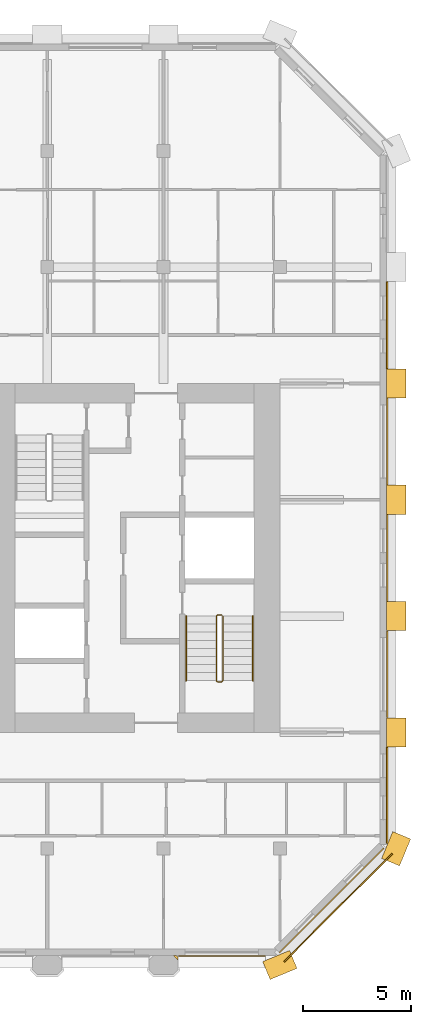
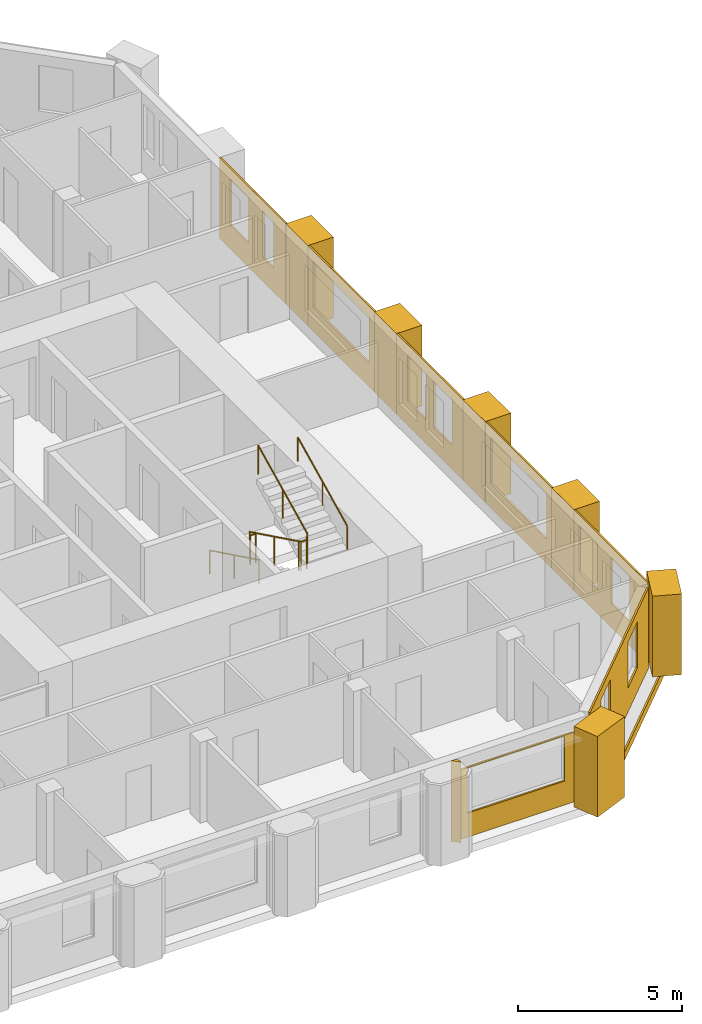
# One storey, part 12 of 13: 15 coverings, 3 railings.
"""IFC4 building model written with IfcOpenShell, lengths in metres."""

from ifc_helpers import new_model, si_unit, direction, frame, frame_2d, origin, origin_2d, place, context, subcontext, project, spatial, polyline, rectangle, circle, outline, extrude, material, layer, layer_set, type_object, element, save


model = new_model("IFC4")

# Units and contexts
model_context = context("Model", 3, precision=1e-05, world=origin(), true_north=direction((0.0, 1.0)))
body_context = subcontext(model_context, "Body", "Model", "MODEL_VIEW")
ifc_project = project(units=[si_unit("LENGTHUNIT", "METRE"), si_unit("AREAUNIT", "SQUARE_METRE"), si_unit("VOLUMEUNIT", "CUBIC_METRE"), si_unit("PLANEANGLEUNIT", "RADIAN"), si_unit("MASSUNIT", "GRAM", prefix="KILO")], contexts=[model_context])

# Site, building, storey
site_placement = place(None, origin())
site = spatial("IfcSite", under=ifc_project, at=site_placement, CompositionType="ELEMENT")
building_placement = place(site_placement, origin())
building = spatial("IfcBuilding", under=site, at=building_placement, Name="Tabaq Tower and Sports Hall", CompositionType="ELEMENT")
storey_placement = place(building_placement, frame((0.0, 0.0, 291.699951171875)))
storey = spatial("IfcBuildingStorey", under=building, at=storey_placement, Name="L72", CompositionType="ELEMENT", Elevation=291.699951171875)

# Coverings
ifc_material_1 = material(Name="Precast concrete C60/75", Category="concrete")
ifc_layer_1 = layer(ifc_material_1, 0.10009765625)
ifc_layer_set_1 = layer_set([ifc_layer_1], Name="Column cladding 100")
covering_type_1 = type_object("IfcCoveringType", Name="Column cladding 100", PredefinedType="CLADDING", material=ifc_layer_set_1)
covering_1_placement = place(storey_placement, origin())
element("IfcCovering", 1, at=covering_1_placement, inside=storey, type_object=covering_type_1, Name="Column cladding L72 PC-8B-R2 3", PredefinedType="CLADDING", context=body_context, shape_type="SweptSolid", body=[
    extrude(outline(polyline([(38.474365234375, 5.62646484375), (38.25146484375, 5.849365234375), (38.39111328125, 5.849365234375), (38.474365234375, 5.76611328125), (38.474365234375, 5.62646484375)])), origin(), (0.0, 0.0, 1.0), 3.0),
])
ifc_material_2 = material(Name="Precast concrete C60/75", Category="concrete")
ifc_layer_2 = layer(ifc_material_2, 0.06005859375)
ifc_layer_set_2 = layer_set([ifc_layer_2], Name="Edge beam cladding 60")
covering_type_2 = type_object("IfcCoveringType", Name="Edge beam cladding 60", PredefinedType="CLADDING", material=ifc_layer_set_2)
covering_2_placement = place(storey_placement, frame((43.39794921875, 5.5556640625, -0.300048828125), z_axis=(0.0, 0.0, 1.0), x_axis=(0.707124002701, 0.707089559252, 0.0)))
element("IfcCovering", 2, at=covering_2_placement, inside=storey, type_object=covering_type_2, Name="Edge beam cladding L72 1", PredefinedType="CLADDING", context=body_context, shape_type="SweptSolid", body=[
    extrude(rectangle(XDim=7.088134765625, YDim=0.06005859375, at=frame_2d((3.5439453125, 0.0))), origin(), (0.0, 0.0, 1.0), 0.300048828125),
])
ifc_material_3 = material(Name="White precast concrete C60/75", Category="concrete")
covering_type_3 = type_object("IfcCoveringType", Name="Pier cladding hung 1350x900", PredefinedType="CLADDING", material=ifc_material_3)
for number, where, z_axis, x_axis, name in (
    (3, (42.576416015625, 5.1416015625, 0.0), (0.0, 0.0, 1.0), (0.923893411637, 0.382649923473, 0.0), "Hung pier cladding 8/1"),
    (4, (48.341796875, 10.17626953125, 0.0), (0.0, 0.0, 1.0), (0.382649923473, 0.923893411637, 0.0), "Hung pier cladding 9/2"),
    (5, (48.60009765625, 15.52490234375, 0.0), (0.0, 0.0, 1.0), (0.0, 1.0, 0.0), "Hung pier cladding 9/3"),
):
    element("IfcCovering", number, at=place(storey_placement, frame(where, z_axis=z_axis, x_axis=x_axis)), inside=storey, type_object=covering_type_3, Name=name, PredefinedType="CLADDING", context=body_context, shape_type="SweptSolid", body=[
        extrude(rectangle(XDim=1.35009765625, YDim=0.89990234375, at=frame_2d((0.675048828125, 0.0))), origin(), (0.0, 0.0, 1.0), 3.0),
    ])
covering_3_placement = place(storey_placement, frame((48.60009765625, 20.925048828125, 0.0), z_axis=(0.0, 0.0, 1.0), x_axis=(0.0, 1.0, 0.0)))
element("IfcCovering", 6, at=covering_3_placement, inside=storey, type_object=covering_type_3, Name="Hung pier cladding 9/4", PredefinedType="CLADDING", context=body_context, shape_type="SweptSolid", body=[
    extrude(rectangle(XDim=1.349853515625, YDim=0.89990234375, at=frame_2d((0.6748046875, 0.0))), origin(), (0.0, 0.0, 1.0), 3.0),
])
covering_4_placement = place(storey_placement, frame((48.60009765625, 26.324951171875, 0.0), z_axis=(0.0, 0.0, 1.0), x_axis=(0.0, 1.0, 0.0)))
element("IfcCovering", 7, at=covering_4_placement, inside=storey, type_object=covering_type_3, Name="Hung pier cladding 9/5", PredefinedType="CLADDING", context=body_context, shape_type="SweptSolid", body=[
    extrude(rectangle(XDim=1.35009765625, YDim=0.89990234375, at=frame_2d((0.675048828125, 0.0))), origin(), (0.0, 0.0, 1.0), 3.0),
])
covering_5_placement = place(storey_placement, frame((48.60009765625, 31.72509765625, 0.0), z_axis=(0.0, 0.0, 1.0), x_axis=(0.0, 1.0, 0.0)))
element("IfcCovering", 8, at=covering_5_placement, inside=storey, type_object=covering_type_3, Name="Hung pier cladding 9/6", PredefinedType="CLADDING", context=body_context, shape_type="SweptSolid", body=[
    extrude(rectangle(XDim=1.349853515625, YDim=0.89990234375, at=frame_2d((0.6748046875, 0.0))), origin(), (0.0, 0.0, 1.0), 3.0),
])

# Railings
ifc_material_4 = material(Name="Stainless steel", Category="steel")
railing_type_1 = type_object("IfcRailingType", Name="Stair guard", PredefinedType="GUARDRAIL", material=ifc_material_4)
railing_1_placement = place(storey_placement, frame((40.5, 21.64990234375, 0.0)))
element("IfcRailing", 9, at=railing_1_placement, inside=storey, type_object=railing_type_1, Name="L72 ST3 stair guard 1", PredefinedType="GUARDRAIL", context=body_context, shape_type="SweptSolid", body=[
    extrude(circle(Radius=0.02392578125, at=origin_2d()), frame((0.0, 0.0, 1.076171875), z_axis=(-1.0, 0.0, 0.0), x_axis=(0.0, -1.0, 0.0)), (0.0, 0.0, 1.0), 0.199951171875),
    extrude(circle(Radius=0.02392578125, at=origin_2d()), frame((-0.199951171875, 0.0, 1.076171875), z_axis=(-0.254733673405, -0.25349107012, 0.933195066962), x_axis=(0.705375805398, -0.708833529934, 0.0)), (0.0, 0.0, 1.0), 0.196533203125),
    extrude(circle(Radius=0.02392578125, at=origin_2d()), frame((-0.25, -0.0498046875, 1.25927734375), z_axis=(0.0, -0.898368975038, 0.439241601728), x_axis=(1.0, 0.0, 0.0)), (0.0, 0.0, 1.0), 3.33935546875),
    extrude(circle(Radius=0.02392578125, at=origin_2d()), frame((-0.25, -3.0498046875, 2.72607421875), z_axis=(0.707106781187, -0.707106781187, 0.0), x_axis=(0.707106781187, 0.707106781187, 0.0)), (0.0, 0.0, 1.0), 0.07080078125),
    extrude(circle(Radius=0.02392578125, at=origin_2d()), frame((-0.199951171875, -3.099853515625, 2.72607421875), z_axis=(1.0, 0.0, 0.0), x_axis=(0.0, 1.0, 0.0)), (0.0, 0.0, 1.0), 0.199951171875),
    extrude(circle(Radius=0.02392578125, at=origin_2d()), frame((0.0, -3.099853515625, 2.72607421875), z_axis=(0.254653276557, 0.254653276557, 0.932900539971), x_axis=(-0.707106781187, 0.707106781187, 0.0)), (0.0, 0.0, 1.0), 0.196533203125),
    extrude(circle(Radius=0.02392578125, at=origin_2d()), frame((0.050048828125, -3.0498046875, 2.90966796875), z_axis=(0.0, 0.898397823093, 0.439182594671), x_axis=(-1.0, 0.0, 0.0)), (0.0, 0.0, 1.0), 3.33935546875),
    extrude(circle(Radius=0.02099609375, at=origin_2d()), origin(), (0.0, 0.0, 1.0), 1.052001953125),
    extrude(circle(Radius=0.02099609375, at=origin_2d()), frame((-0.199951171875, 0.0, 0.0)), (0.0, 0.0, 1.0), 1.052001953125),
    extrude(circle(Radius=0.02099609375, at=origin_2d()), frame((-0.25, -0.0498046875, 0.183349609375)), (0.0, 0.0, 1.0), 1.052001953125),
    extrude(circle(Radius=0.02099609375, at=origin_2d()), frame((-0.25, -1.5498046875, 0.916748046875)), (0.0, 0.0, 1.0), 1.052001953125),
    extrude(circle(Radius=0.02099609375, at=origin_2d()), frame((-0.25, -3.0498046875, 1.650146484375)), (0.0, 0.0, 1.0), 1.052001953125),
    extrude(circle(Radius=0.02099609375, at=origin_2d()), frame((-0.199951171875, -3.099853515625, 1.650146484375)), (0.0, 0.0, 1.0), 1.052001953125),
    extrude(circle(Radius=0.02099609375, at=origin_2d()), frame((0.0, -3.099853515625, 1.650146484375)), (0.0, 0.0, 1.0), 1.052001953125),
    extrude(circle(Radius=0.02099609375, at=origin_2d()), frame((0.050048828125, -3.0498046875, 1.83349609375)), (0.0, 0.0, 1.0), 1.052001953125),
    extrude(circle(Radius=0.02099609375, at=origin_2d()), frame((0.050048828125, -1.5498046875, 2.56689453125)), (0.0, 0.0, 1.0), 1.052001953125),
    extrude(circle(Radius=0.02099609375, at=origin_2d()), frame((0.050048828125, -0.0498046875, 3.300048828125)), (0.0, 0.0, 1.0), 1.052001953125),
])
ifc_material_5 = material(Name="Stainless steel", Category="steel")
railing_type_2 = type_object("IfcRailingType", Name="Stair handrail", PredefinedType="HANDRAIL", material=ifc_material_5)
railing_2_placement = place(storey_placement, frame((38.85009765625, 21.60009765625, 0.183349609375)))
element("IfcRailing", 10, at=railing_2_placement, inside=storey, type_object=railing_type_2, Name="L72 ST3 stair handrail 1", PredefinedType="HANDRAIL", context=body_context, shape_type="SweptSolid", body=[
    extrude(circle(Radius=0.02392578125, at=origin_2d()), frame((0.0, 0.0, 0.8759765625), z_axis=(0.0, -0.898368975038, 0.439241601728), x_axis=(1.0, 0.0, 0.0)), (0.0, 0.0, 1.0), 3.33935546875),
    extrude(circle(Radius=0.02099609375, at=origin_2d()), origin(), (0.0, 0.0, 1.0), 0.851806640625),
    extrude(circle(Radius=0.02099609375, at=origin_2d()), frame((0.0, -1.5, 0.7333984375)), (0.0, 0.0, 1.0), 0.851806640625),
    extrude(circle(Radius=0.02099609375, at=origin_2d()), frame((0.0, -3.0, 1.466796875)), (0.0, 0.0, 1.0), 0.851806640625),
])
railing_3_placement = place(storey_placement, frame((41.949951171875, 18.60009765625, 1.83349609375)))
element("IfcRailing", 11, at=railing_3_placement, inside=storey, type_object=railing_type_2, Name="L72 ST3 stair handrail 2", PredefinedType="HANDRAIL", context=body_context, shape_type="SweptSolid", body=[
    extrude(circle(Radius=0.02392578125, at=origin_2d()), frame((0.0, 0.0, 0.8759765625), z_axis=(0.0, 0.898397823093, 0.439182594671), x_axis=(-1.0, 0.0, 0.0)), (0.0, 0.0, 1.0), 3.33935546875),
    extrude(circle(Radius=0.02099609375, at=origin_2d()), origin(), (0.0, 0.0, 1.0), 0.851806640625),
    extrude(circle(Radius=0.02099609375, at=origin_2d()), frame((0.0, 1.5, 0.7333984375)), (0.0, 0.0, 1.0), 0.851806640625),
    extrude(circle(Radius=0.02099609375, at=origin_2d()), frame((0.0, 3.0, 1.466552734375)), (0.0, 0.0, 1.0), 0.851806640625),
])

# Coverings
ifc_material_6 = material(Name="Precast concrete C60/75", Category="concrete")
ifc_layer_3 = layer(ifc_material_6, 0.06005859375)
ifc_layer_set_3 = layer_set([ifc_layer_3], Name="White precast cladding panel 60 C60/75")
covering_type_4 = type_object("IfcCoveringType", Name="White precast cladding panel 60 C60/75", PredefinedType="CLADDING", material=ifc_layer_set_3)
covering_6_placement = place(storey_placement, frame((38.485107421875, 5.820068359375, 0.0), z_axis=(0.0, 0.0, 1.0), x_axis=(1.0, 0.0, 0.0)))
element("IfcCovering", 12, at=covering_6_placement, inside=storey, type_object=covering_type_4, Name="White precast cladding panel L72 wall00 6", PredefinedType="CLADDING", context=body_context, shape_type="SweptSolid", body=[
    extrude(outline(polyline([(0.0, 0.0), (4.0498046875, 0.0), (4.0498046875, 2.590087890625), (0.0, 2.590087890625), (0.0, 0.0)]), holes=[polyline([(3.72509765625, 0.89013671875), (0.304931640625, 0.89013671875), (0.304931640625, 2.56005859375), (3.72509765625, 2.56005859375), (3.72509765625, 0.89013671875)])]), frame((0.0, 0.030029296875, 0.0), z_axis=(0.0, -1.0, 0.0), x_axis=(1.0, 0.0, 0.0)), (0.0, 0.0, 1.0), 0.06005859375),
])
covering_7_placement = place(storey_placement, frame((43.177734375, 5.9716796875, 0.0), z_axis=(0.0, 0.0, 1.0), x_axis=(0.707106781187, 0.707106781187, 0.0)))
element("IfcCovering", 13, at=covering_7_placement, inside=storey, type_object=covering_type_4, Name="White precast cladding panel L72 wall01", PredefinedType="CLADDING", context=body_context, shape_type="SweptSolid", body=[
    extrude(outline(polyline([(0.0, 0.0), (6.85986328125, 0.0), (6.85986328125, 3.0), (0.0, 3.0), (0.0, 0.0)]), holes=[polyline([(1.269775390625, 2.610107421875), (2.389892578125, 2.610107421875), (2.389892578125, 0.89013671875), (1.269775390625, 0.89013671875), (1.269775390625, 2.610107421875)]), polyline([(4.4697265625, 2.610107421875), (5.58984375, 2.610107421875), (5.58984375, 0.89013671875), (4.4697265625, 0.89013671875), (4.4697265625, 2.610107421875)])]), frame((0.0, 0.030029296875, 0.0), z_axis=(0.0, -1.0, 0.0), x_axis=(1.0, 0.0, 0.0)), (0.0, 0.0, 1.0), 0.06005859375),
])
covering_8_placement = place(storey_placement, frame((48.179931640625, 11.043212890625, 0.0), z_axis=(0.0, 0.0, 1.0), x_axis=(0.0, 1.0, 0.0)))
element("IfcCovering", 14, at=covering_8_placement, inside=storey, type_object=covering_type_4, Name="White precast cladding panel L72 wall02", PredefinedType="CLADDING", context=body_context, shape_type="SweptSolid", body=[
    extrude(outline(polyline([(0.0, 0.0), (4.4716796875, 0.0), (4.4716796875, 3.0), (0.0, 3.0), (0.0, 0.0)]), holes=[polyline([(1.096923828125, 2.610107421875), (2.216796875, 2.610107421875), (2.216796875, 0.89013671875), (1.096923828125, 0.89013671875), (1.096923828125, 2.610107421875)]), polyline([(3.046875, 2.610107421875), (4.166748046875, 2.610107421875), (4.166748046875, 0.89013671875), (3.046875, 0.89013671875), (3.046875, 2.610107421875)])]), frame((0.0, 0.030029296875, 0.0), z_axis=(0.0, -1.0, 0.0), x_axis=(1.0, 0.0, 0.0)), (0.0, 0.0, 1.0), 0.06005859375),
])
covering_9_placement = place(storey_placement, frame((48.179931640625, 16.885009765625, 0.0), z_axis=(0.0, 0.0, 1.0), x_axis=(0.0, 1.0, 0.0)))
element("IfcCovering", 15, at=covering_9_placement, inside=storey, type_object=covering_type_4, Name="White precast cladding panel L72 wall02 2", PredefinedType="CLADDING", context=body_context, shape_type="SweptSolid", body=[
    extrude(outline(polyline([(0.0, 0.0), (4.030029296875, 0.0), (4.030029296875, 3.0), (0.0, 3.0), (0.0, 0.0)]), holes=[polyline([(0.304931640625, 0.89013671875), (0.304931640625, 2.610107421875), (3.72509765625, 2.610107421875), (3.72509765625, 0.89013671875), (0.304931640625, 0.89013671875)])]), frame((0.0, 0.030029296875, 0.0), z_axis=(0.0, -1.0, 0.0), x_axis=(1.0, 0.0, 0.0)), (0.0, 0.0, 1.0), 0.06005859375),
])
covering_10_placement = place(storey_placement, frame((48.179931640625, 22.284912109375, 0.0), z_axis=(0.0, 0.0, 1.0), x_axis=(0.0, 1.0, 0.0)))
element("IfcCovering", 16, at=covering_10_placement, inside=storey, type_object=covering_type_4, Name="White precast cladding panel L72 wall02 3", PredefinedType="CLADDING", context=body_context, shape_type="SweptSolid", body=[
    extrude(outline(polyline([(0.0, 0.0), (4.030029296875, 0.0), (4.030029296875, 3.0), (0.0, 3.0), (0.0, 0.0)]), holes=[polyline([(0.655029296875, 2.610107421875), (1.77490234375, 2.610107421875), (1.77490234375, 0.89013671875), (0.655029296875, 0.89013671875), (0.655029296875, 2.610107421875)]), polyline([(2.2548828125, 2.610107421875), (3.375, 2.610107421875), (3.375, 0.89013671875), (2.2548828125, 0.89013671875), (2.2548828125, 2.610107421875)])]), frame((0.0, 0.030029296875, 0.0), z_axis=(0.0, -1.0, 0.0), x_axis=(1.0, 0.0, 0.0)), (0.0, 0.0, 1.0), 0.06005859375),
])
covering_11_placement = place(storey_placement, frame((48.179931640625, 27.68505859375, 0.0), z_axis=(0.0, 0.0, 1.0), x_axis=(0.0, 1.0, 0.0)))
element("IfcCovering", 17, at=covering_11_placement, inside=storey, type_object=covering_type_4, Name="White precast cladding panel L72 wall02 4", PredefinedType="CLADDING", context=body_context, shape_type="SweptSolid", body=[
    extrude(outline(polyline([(0.0, 0.0), (4.030029296875, 0.0), (4.030029296875, 3.0), (0.0, 3.0), (0.0, 0.0)]), holes=[polyline([(0.304931640625, 0.89013671875), (0.304931640625, 2.610107421875), (3.72509765625, 2.610107421875), (3.72509765625, 0.89013671875), (0.304931640625, 0.89013671875)])]), frame((0.0, 0.030029296875, 0.0), z_axis=(0.0, -1.0, 0.0), x_axis=(1.0, 0.0, 0.0)), (0.0, 0.0, 1.0), 0.06005859375),
])
covering_12_placement = place(storey_placement, frame((48.179931640625, 33.0849609375, 0.0), z_axis=(0.0, 0.0, 1.0), x_axis=(0.0, 1.0, 0.0)))
element("IfcCovering", 18, at=covering_12_placement, inside=storey, type_object=covering_type_4, Name="White precast cladding panel L72 wall02 5", PredefinedType="CLADDING", context=body_context, shape_type="SweptSolid", body=[
    extrude(outline(polyline([(0.0, 0.0), (4.030029296875, 0.0), (4.030029296875, 3.0), (0.0, 3.0), (0.0, 0.0)]), holes=[polyline([(0.72998046875, 2.610107421875), (1.39990234375, 2.610107421875), (1.39990234375, 0.89013671875), (0.72998046875, 0.89013671875), (0.72998046875, 2.610107421875)]), polyline([(2.2548828125, 2.610107421875), (3.375, 2.610107421875), (3.375, 0.89013671875), (2.2548828125, 0.89013671875), (2.2548828125, 2.610107421875)])]), frame((0.0, 0.030029296875, 0.0), z_axis=(0.0, -1.0, 0.0), x_axis=(1.0, 0.0, 0.0)), (0.0, 0.0, 1.0), 0.06005859375),
])

save(model, "model.ifc")
